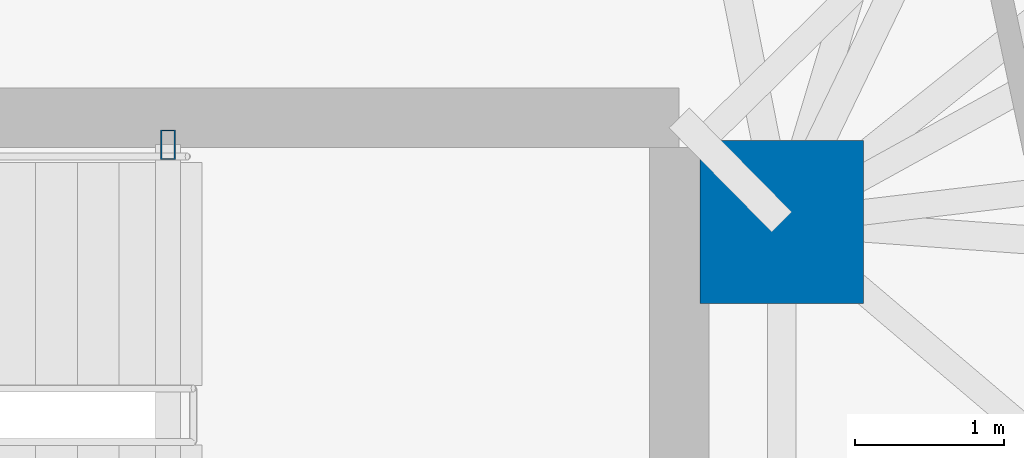
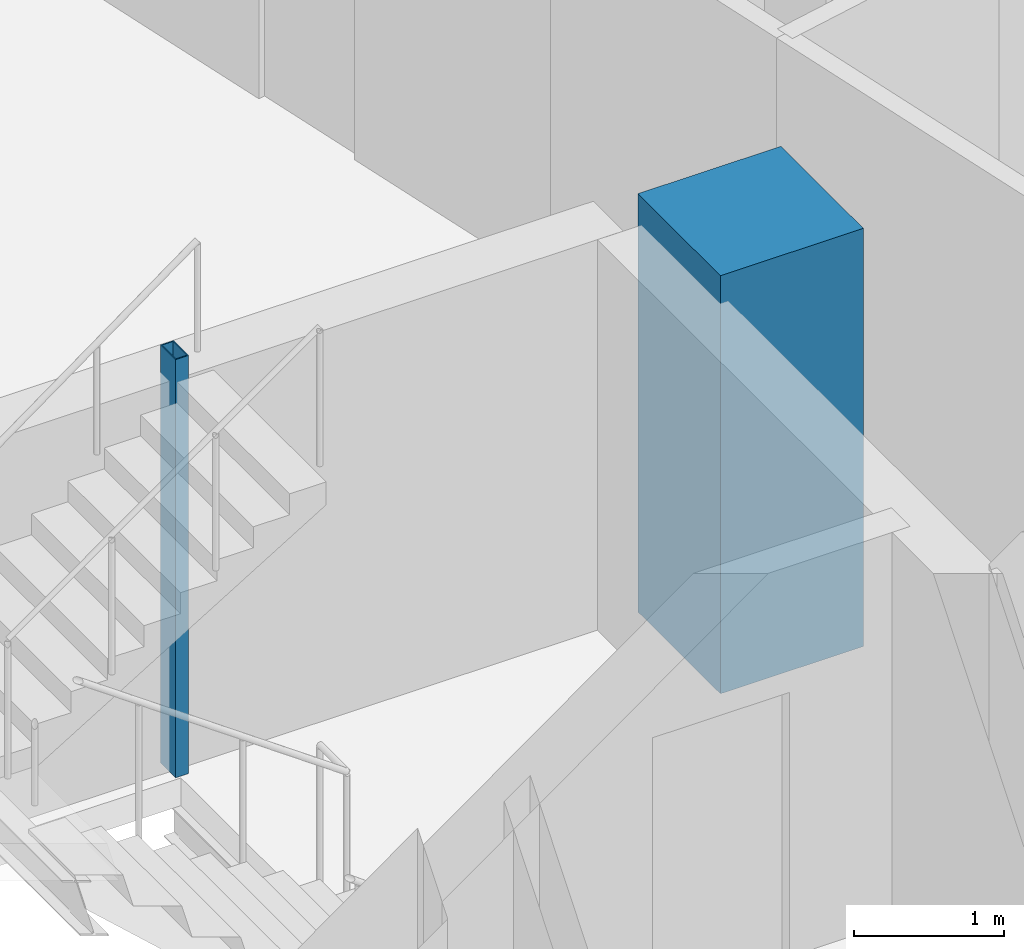
# One storey, part 4 of 21: 2 columns.
"""IFC4 building model written with IfcOpenShell, lengths in metres."""

from ifc_helpers import new_model, si_unit, direction, frame, origin, origin_2d, place, context, subcontext, project, spatial, rectangle, hollow_rectangle, extrude, material, material_profile, profile_set, type_object, element, save


model = new_model("IFC4")

# Units and contexts
model_context = context("Model", 3, precision=1e-05, world=origin(), true_north=direction((0.0, 1.0)))
body_context = subcontext(model_context, "Body", "Model", "MODEL_VIEW")
ifc_project = project(units=[si_unit("LENGTHUNIT", "METRE"), si_unit("AREAUNIT", "SQUARE_METRE"), si_unit("VOLUMEUNIT", "CUBIC_METRE"), si_unit("PLANEANGLEUNIT", "RADIAN"), si_unit("MASSUNIT", "GRAM", prefix="KILO")], contexts=[model_context])

# Site, building, storey
site_placement = place(None, origin())
site = spatial("IfcSite", under=ifc_project, at=site_placement, CompositionType="ELEMENT")
building_placement = place(site_placement, origin())
building = spatial("IfcBuilding", under=site, at=building_placement, Name="Menara Jurai Vektor", CompositionType="ELEMENT")
storey_placement = place(building_placement, frame((0.0, 0.0, 188.800048828125)))
storey = spatial("IfcBuildingStorey", under=building, at=storey_placement, Name="L49", CompositionType="ELEMENT", Elevation=188.800048828125)

# Columns
ifc_material_1 = material(Name="Concrete C50/60", Category="concrete")
ifc_material_profile_1 = material_profile(ifc_material_1, rectangle(XDim=1.10009765625, YDim=1.10009765625, at=origin_2d()), Name="RC 1100x1100")
ifc_profile_set_1 = profile_set([ifc_material_profile_1], Name="Concrete C50/60")
column_type_1 = type_object("IfcColumnType", Name="STR-COL-RC1100", PredefinedType="COLUMN", material=ifc_profile_set_1)
column_1_placement = place(storey_placement, frame((15.25, 4.89990234375, 0.0), z_axis=(0.0, 0.0, 1.0), x_axis=(1.0, 0.0, 0.0)))
element("IfcColumn", 1, at=column_1_placement, inside=storey, type_object=column_type_1, Name="Core Spine Column CE-NE L49", PredefinedType="COLUMN", context=body_context, shape_type="SweptSolid", body=[
    extrude(rectangle(XDim=1.10009765625, YDim=1.10009765625, at=origin_2d()), origin(), (0.0, 0.0, 1.0), 3.39990234375),
])
ifc_material_2 = material(Name="Steel S355", Category="steel")
ifc_material_profile_2 = material_profile(ifc_material_2, hollow_rectangle(XDim=0.10009765625, YDim=0.199951171875, WallThickness=0.008056640625, at=origin_2d()), Name="RHS 200x100x8")
ifc_profile_set_2 = profile_set([ifc_material_profile_2], Name="Steel S355")
column_type_2 = type_object("IfcColumnType", Name="STR-COL-STAIR", PredefinedType="COLUMN", material=ifc_profile_set_2)
column_2_placement = place(storey_placement, frame((11.1201171875, 5.419921875, 0.0), z_axis=(0.0, 0.0, 1.0), x_axis=(1.0, 0.0, 0.0)))
element("IfcColumn", 2, at=column_2_placement, inside=storey, type_object=column_type_2, Name="Stair Well Header Column ST2-P2 L49", PredefinedType="COLUMN", context=body_context, shape_type="SweptSolid", body=[
    extrude(hollow_rectangle(XDim=0.10009765625, YDim=0.199951171875, WallThickness=0.008056640625, at=origin_2d()), origin(), (0.0, 0.0, 1.0), 3.39990234375),
])

save(model, "model.ifc")
